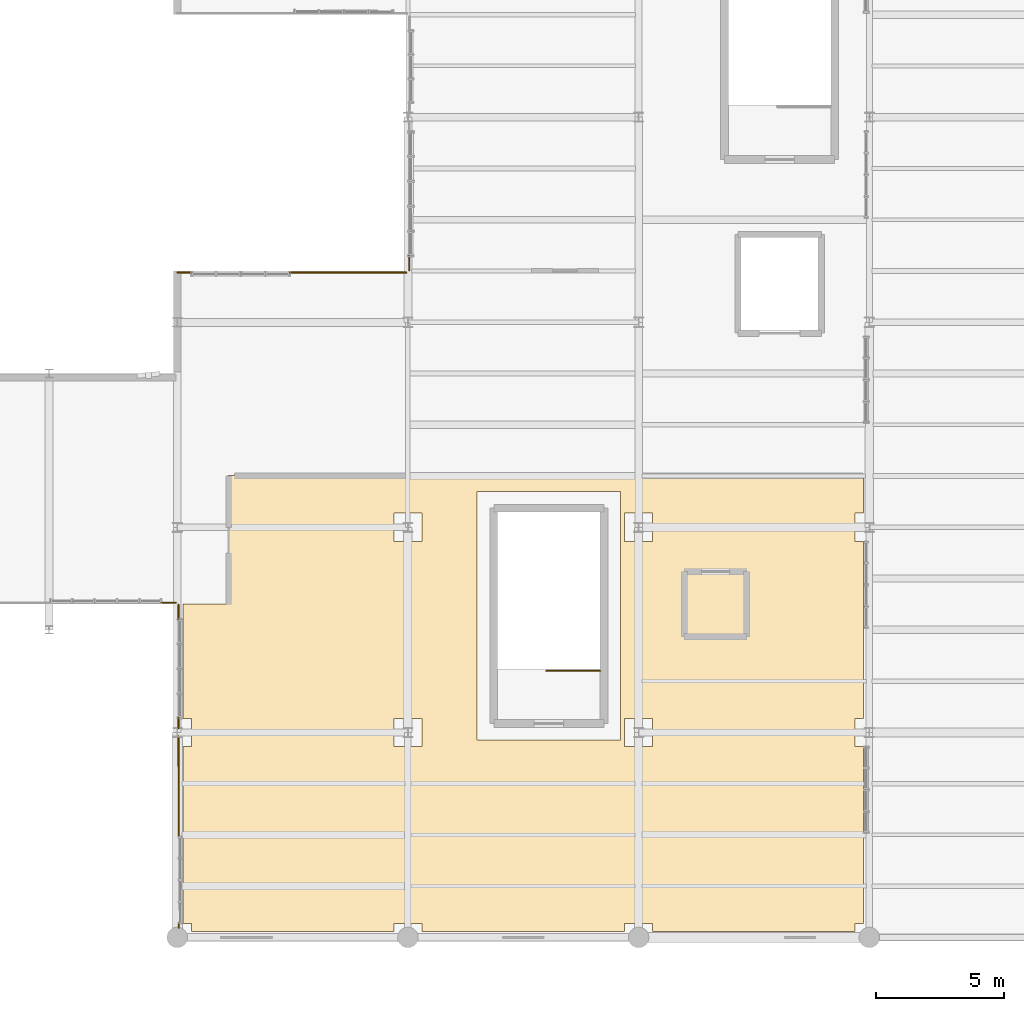
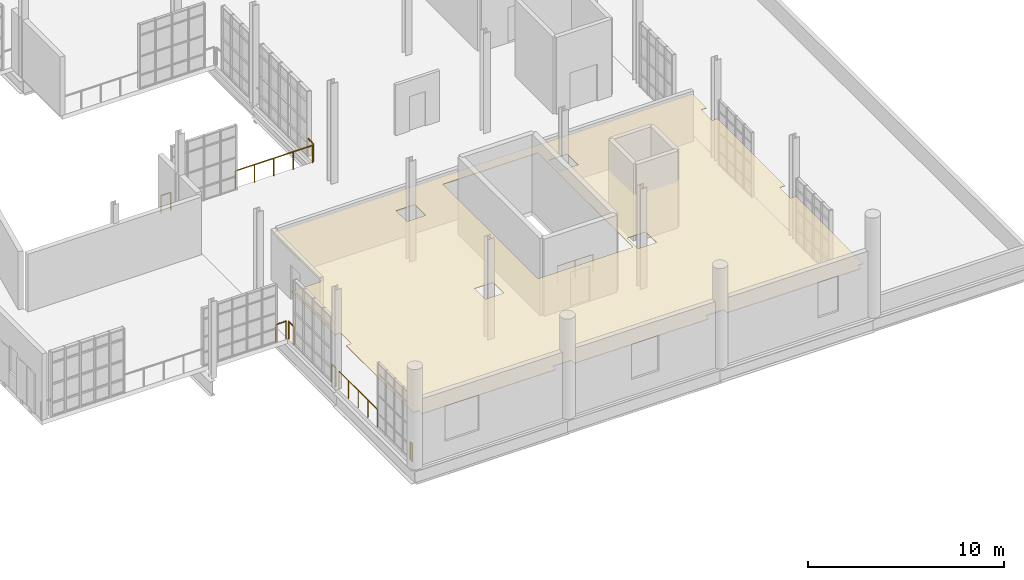
# One storey, part 114 of 118: 9 railings, 1 covering.
"""IFC4 building model written with IfcOpenShell, lengths in metres."""

from ifc_helpers import new_model, si_unit, direction, frame, origin, origin_2d, place, context, subcontext, project, spatial, polyline, circle, outline, extrude, material, layer, layer_set, type_object, element, save


model = new_model("IFC4")

# Units and contexts
model_context = context("Model", 3, precision=1e-05, world=origin(), true_north=direction((0.0, 1.0)))
body_context = subcontext(model_context, "Body", "Model", "MODEL_VIEW")
ifc_project = project(units=[si_unit("LENGTHUNIT", "METRE"), si_unit("AREAUNIT", "SQUARE_METRE"), si_unit("VOLUMEUNIT", "CUBIC_METRE"), si_unit("PLANEANGLEUNIT", "RADIAN"), si_unit("MASSUNIT", "GRAM", prefix="KILO"), si_unit("THERMODYNAMICTEMPERATUREUNIT", "KELVIN"), si_unit("POWERUNIT", "WATT")], contexts=[model_context])

# Site, building, storey
site_placement = place(None, origin())
site = spatial("IfcSite", under=ifc_project, at=site_placement, CompositionType="ELEMENT")
building_placement = place(site_placement, origin())
building = spatial("IfcBuilding", under=site, at=building_placement, Name="Zelmaris Science Centre", CompositionType="ELEMENT")
storey_placement = place(building_placement, frame((0.0, 0.0, 15.60009765625)))
storey = spatial("IfcBuildingStorey", under=building, at=storey_placement, Name="L03", CompositionType="ELEMENT", Elevation=15.60009765625)

# Covering
ifc_material_1 = material(Name="Perforated mineral-fibre acoustic ceiling tile")
ifc_layer = layer(ifc_material_1, 0.0400390625, Name="Perforated mineral-fibre acoustic ceiling tile")
ifc_layer_set = layer_set([ifc_layer], Name="Perforated mineral-fibre acoustic ceiling tile")
covering_type = type_object("IfcCoveringType", Name="Acoustic Ceiling CLG-01 40mm", PredefinedType="CEILING", material=ifc_layer_set)
covering_placement = place(storey_placement, frame((0.0, 0.0, 2.849853515625)))
element("IfcCovering", 1, at=covering_placement, inside=storey, type_object=covering_type, Name="L03 Atmospheric and Hurricane Environmental Laboratory acoustic ceiling", PredefinedType="CEILING", context=body_context, shape_type="SweptSolid", body=[
    extrude(outline(polyline([(134.751953125, 26.02001953125), (134.75390625, 26.01953125), (134.755859375, 26.01904296875), (134.7578125, 26.0185546875), (134.759521484375, 26.017578125), (134.760986328125, 26.0166015625), (134.7626953125, 26.015380859375), (134.76416015625, 26.01416015625), (134.765380859375, 26.0126953125), (134.7666015625, 26.010986328125), (134.767578125, 26.009521484375), (134.7685546875, 26.0078125), (134.76904296875, 26.005859375), (134.76953125, 26.00390625), (134.77001953125, 26.001953125), (134.77001953125, 26.0), (134.77001953125, 24.550048828125), (134.449951171875, 24.550048828125), (134.449951171875, 23.449951171875), (134.77001953125, 23.449951171875), (134.77001953125, 16.550048828125), (134.449951171875, 16.550048828125), (134.449951171875, 15.449951171875), (134.77001953125, 15.449951171875), (134.77001953125, 8.550048828125), (134.449951171875, 8.550048828125), (134.449951171875, 8.22998046875), (126.550048828125, 8.22998046875), (126.550048828125, 8.550048828125), (125.449951171875, 8.550048828125), (125.449951171875, 8.22998046875), (117.550048828125, 8.22998046875), (117.550048828125, 8.550048828125), (116.449951171875, 8.550048828125), (116.449951171875, 8.22998046875), (108.550048828125, 8.22998046875), (108.550048828125, 8.550048828125), (108.22998046875, 8.550048828125), (108.22998046875, 15.449951171875), (108.550048828125, 15.449951171875), (108.550048828125, 16.550048828125), (108.22998046875, 16.550048828125), (108.22998046875, 20.9951171875), (108.22998046875, 20.9970703125), (108.23046875, 20.998779296875), (108.23095703125, 21.000732421875), (108.2314453125, 21.002685546875), (108.232421875, 21.00439453125), (108.2333984375, 21.006103515625), (108.234619140625, 21.0078125), (108.23583984375, 21.009033203125), (108.2373046875, 21.010498046875), (108.239013671875, 21.01171875), (108.240478515625, 21.0126953125), (108.2421875, 21.013427734375), (108.244140625, 21.01416015625), (108.24609375, 21.0146484375), (108.248046875, 21.014892578125), (108.25, 21.014892578125), (109.98486328125, 21.0185546875), (109.985107421875, 26.0), (109.985107421875, 26.001953125), (109.9853515625, 26.00390625), (109.98583984375, 26.005859375), (109.986572265625, 26.0078125), (109.9873046875, 26.009521484375), (109.98828125, 26.010986328125), (109.989501953125, 26.0126953125), (109.990966796875, 26.01416015625), (109.9921875, 26.015380859375), (109.993896484375, 26.0166015625), (109.99560546875, 26.017578125), (109.997314453125, 26.0185546875), (109.999267578125, 26.01904296875), (110.001220703125, 26.01953125), (110.0029296875, 26.02001953125), (110.0048828125, 26.02001953125), (134.75, 26.02001953125), (134.751953125, 26.02001953125)]), holes=[polyline([(125.300048828125, 15.699951171875), (125.300048828125, 25.39990234375), (119.699951171875, 25.39990234375), (119.699951171875, 15.699951171875), (125.300048828125, 15.699951171875)]), polyline([(116.449951171875, 16.550048828125), (116.449951171875, 15.449951171875), (117.550048828125, 15.449951171875), (117.550048828125, 16.550048828125), (116.449951171875, 16.550048828125)]), polyline([(116.449951171875, 23.449951171875), (117.550048828125, 23.449951171875), (117.550048828125, 24.550048828125), (116.449951171875, 24.550048828125), (116.449951171875, 23.449951171875)]), polyline([(126.550048828125, 16.550048828125), (125.449951171875, 16.550048828125), (125.449951171875, 15.449951171875), (126.550048828125, 15.449951171875), (126.550048828125, 16.550048828125)]), polyline([(125.449951171875, 24.550048828125), (125.449951171875, 23.449951171875), (126.550048828125, 23.449951171875), (126.550048828125, 24.550048828125), (125.449951171875, 24.550048828125)])]), origin(), (0.0, 0.0, 1.0), 0.0400390625),
])

# Railings
ifc_material_2 = material(Name="Architectural bronze alloy C28000")
railing_type = type_object("IfcRailingType", Name="Balustrade GD-01 H1120", PredefinedType="BALUSTRADE", material=ifc_material_2)
railing_1_placement = place(storey_placement, frame((108.059814453125, 8.3701171875, 0.0)))
element("IfcRailing", 2, at=railing_1_placement, inside=storey, type_object=railing_type, Name="L03 Perimeter safety balustrade 205", PredefinedType="BALUSTRADE", context=body_context, shape_type="SweptSolid", body=[
    extrude(circle(Radius=0.02392578125, at=origin_2d()), frame((0.0, 0.0, 1.09619140625), z_axis=(-0.001221000311, 0.999999254579, 0.0), x_axis=(-0.999999254579, -0.001221000311, 0.0)), (0.0, 0.0, 1.0), 0.199951171875),
    extrude(circle(Radius=0.02099609375, at=origin_2d()), origin(), (0.0, 0.0, 1.0), 1.072021484375),
    extrude(circle(Radius=0.02099609375, at=origin_2d()), frame((-0.000244140625, 0.199951171875, 0.0)), (0.0, 0.0, 1.0), 1.072021484375),
])
railing_2_placement = place(storey_placement, frame((108.055908203125, 11.909912109375, 0.0)))
element("IfcRailing", 3, at=railing_2_placement, inside=storey, type_object=railing_type, Name="L03 Perimeter safety balustrade 206", PredefinedType="BALUSTRADE", context=body_context, shape_type="SweptSolid", body=[
    extrude(circle(Radius=0.02392578125, at=origin_2d()), frame((0.0, 0.0, 1.09619140625), z_axis=(-0.001054393757, 0.999999444127, 0.0), x_axis=(-0.999999444127, -0.001054393757, 0.0)), (0.0, 0.0, 1.0), 3.936279296875),
    extrude(circle(Radius=0.02099609375, at=origin_2d()), origin(), (0.0, 0.0, 1.0), 1.072021484375),
    extrude(circle(Radius=0.02099609375, at=origin_2d()), frame((-0.0009765625, 0.984130859375, 0.0)), (0.0, 0.0, 1.0), 1.072021484375),
    extrude(circle(Radius=0.02099609375, at=origin_2d()), frame((-0.001953125, 1.96826171875, 0.0)), (0.0, 0.0, 1.0), 1.072021484375),
    extrude(circle(Radius=0.02099609375, at=origin_2d()), frame((-0.003173828125, 2.9521484375, 0.0)), (0.0, 0.0, 1.0), 1.072021484375),
    extrude(circle(Radius=0.02099609375, at=origin_2d()), frame((-0.004150390625, 3.936279296875, 0.0)), (0.0, 0.0, 1.0), 1.072021484375),
])
railing_3_placement = place(storey_placement, frame((108.051513671875, 16.154052734375, 0.0)))
element("IfcRailing", 4, at=railing_3_placement, inside=storey, type_object=railing_type, Name="L03 Perimeter safety balustrade 207", PredefinedType="BALUSTRADE", context=body_context, shape_type="SweptSolid", body=[
    extrude(circle(Radius=0.02392578125, at=origin_2d()), frame((0.0, 0.0, 1.09619140625), z_axis=(-0.001173708112, 0.999999311204, 0.0), x_axis=(-0.999999311204, -0.001173708112, 0.0)), (0.0, 0.0, 1.0), 0.416015625),
    extrude(circle(Radius=0.02099609375, at=origin_2d()), origin(), (0.0, 0.0, 1.0), 1.072021484375),
    extrude(circle(Radius=0.02099609375, at=origin_2d()), frame((-0.00048828125, 0.416015625, 0.0)), (0.0, 0.0, 1.0), 1.072021484375),
])
railing_4_placement = place(storey_placement, frame((108.047119140625, 20.408203125, 0.0)))
element("IfcRailing", 5, at=railing_4_placement, inside=storey, type_object=railing_type, Name="L03 Perimeter safety balustrade 208", PredefinedType="BALUSTRADE", context=body_context, shape_type="SweptSolid", body=[
    extrude(circle(Radius=0.02392578125, at=origin_2d()), frame((0.0, 0.0, 1.09619140625), z_axis=(-0.001285345982, 0.999999173943, 0.0), x_axis=(-0.999999173943, -0.001285345982, 0.0)), (0.0, 0.0, 1.0), 0.56982421875),
    extrude(circle(Radius=0.02099609375, at=origin_2d()), origin(), (0.0, 0.0, 1.0), 1.072021484375),
    extrude(circle(Radius=0.02099609375, at=origin_2d()), frame((-0.000732421875, 0.56982421875, 0.0)), (0.0, 0.0, 1.0), 1.072021484375),
])
railing_5_placement = place(storey_placement, frame((107.93994140625, 21.06005859375, 0.0)))
element("IfcRailing", 6, at=railing_5_placement, inside=storey, type_object=railing_type, Name="L03 Perimeter safety balustrade 209", PredefinedType="BALUSTRADE", context=body_context, shape_type="SweptSolid", body=[
    extrude(circle(Radius=0.02392578125, at=origin_2d()), frame((0.0, 0.0, 1.09619140625), z_axis=(-1.0, 0.0, 0.0), x_axis=(0.0, -1.0, 0.0)), (0.0, 0.0, 1.0), 0.56982421875),
    extrude(circle(Radius=0.02099609375, at=origin_2d()), origin(), (0.0, 0.0, 1.0), 1.072021484375),
    extrude(circle(Radius=0.02099609375, at=origin_2d()), frame((-0.56982421875, 0.0, 0.0)), (0.0, 0.0, 1.0), 1.072021484375),
])
railing_6_placement = place(storey_placement, frame((108.0, 33.93994140625, 0.0)))
element("IfcRailing", 7, at=railing_6_placement, inside=storey, type_object=railing_type, Name="L03 Perimeter safety balustrade 251", PredefinedType="BALUSTRADE", context=body_context, shape_type="SweptSolid", body=[
    extrude(circle(Radius=0.02392578125, at=origin_2d()), frame((0.0, 0.0, 1.09619140625), z_axis=(1.0, 0.0, 0.0), x_axis=(0.0, 1.0, 0.0)), (0.0, 0.0, 1.0), 0.570068359375),
    extrude(circle(Radius=0.02099609375, at=origin_2d()), origin(), (0.0, 0.0, 1.0), 1.072021484375),
    extrude(circle(Radius=0.02099609375, at=origin_2d()), frame((0.570068359375, 0.0, 0.0)), (0.0, 0.0, 1.0), 1.072021484375),
])
railing_7_placement = place(storey_placement, frame((112.3798828125, 33.93994140625, 0.0)))
element("IfcRailing", 8, at=railing_7_placement, inside=storey, type_object=railing_type, Name="L03 Perimeter safety balustrade 252", PredefinedType="BALUSTRADE", context=body_context, shape_type="SweptSolid", body=[
    extrude(circle(Radius=0.02392578125, at=origin_2d()), frame((0.0, 0.0, 1.09619140625), z_axis=(1.0, 0.0, 0.0), x_axis=(0.0, 1.0, 0.0)), (0.0, 0.0, 1.0), 4.56005859375),
    extrude(circle(Radius=0.02099609375, at=origin_2d()), origin(), (0.0, 0.0, 1.0), 1.072021484375),
    extrude(circle(Radius=0.02099609375, at=origin_2d()), frame((1.14013671875, 0.0, 0.0)), (0.0, 0.0, 1.0), 1.072021484375),
    extrude(circle(Radius=0.02099609375, at=origin_2d()), frame((2.280029296875, 0.0, 0.0)), (0.0, 0.0, 1.0), 1.072021484375),
    extrude(circle(Radius=0.02099609375, at=origin_2d()), frame((3.419921875, 0.0, 0.0)), (0.0, 0.0, 1.0), 1.072021484375),
    extrude(circle(Radius=0.02099609375, at=origin_2d()), frame((4.56005859375, 0.0, 0.0)), (0.0, 0.0, 1.0), 1.072021484375),
])
railing_8_placement = place(storey_placement, frame((117.0498046875, 34.026611328125, 0.0)))
element("IfcRailing", 9, at=railing_8_placement, inside=storey, type_object=railing_type, Name="L03 Perimeter safety balustrade 253", PredefinedType="BALUSTRADE", context=body_context, shape_type="SweptSolid", body=[
    extrude(circle(Radius=0.02392578125, at=origin_2d()), frame((0.0, 0.0, 1.09619140625), z_axis=(0.001284795513, 0.99999917465, 0.0), x_axis=(-0.99999917465, 0.001284795513, 0.0)), (0.0, 0.0, 1.0), 0.570068359375),
    extrude(circle(Radius=0.02099609375, at=origin_2d()), origin(), (0.0, 0.0, 1.0), 1.072021484375),
    extrude(circle(Radius=0.02099609375, at=origin_2d()), frame((0.000732421875, 0.570068359375, 0.0)), (0.0, 0.0, 1.0), 1.072021484375),
])
railing_9_placement = place(storey_placement, frame((124.5, 18.39990234375, 0.0)))
element("IfcRailing", 10, at=railing_9_placement, inside=storey, type_object=railing_type, Name="L03 ST-4 top well guard 1", PredefinedType="BALUSTRADE", context=body_context, shape_type="SweptSolid", body=[
    extrude(circle(Radius=0.02392578125, at=origin_2d()), frame((0.0, 0.0, 1.076171875), z_axis=(-1.0, 0.0, 0.0), x_axis=(0.0, -1.0, 0.0)), (0.0, 0.0, 1.0), 2.10009765625),
    extrude(circle(Radius=0.02099609375, at=origin_2d()), origin(), (0.0, 0.0, 1.0), 1.052001953125),
    extrude(circle(Radius=0.02099609375, at=origin_2d()), frame((-1.050048828125, 0.0, 0.0)), (0.0, 0.0, 1.0), 1.052001953125),
    extrude(circle(Radius=0.02099609375, at=origin_2d()), frame((-2.10009765625, 0.0, 0.0)), (0.0, 0.0, 1.0), 1.052001953125),
])

save(model, "model.ifc")
